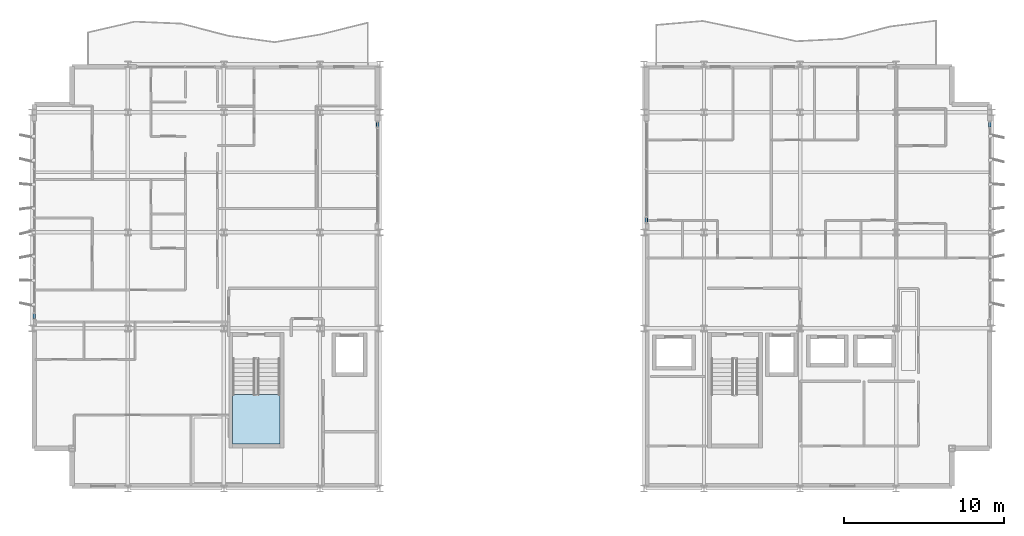
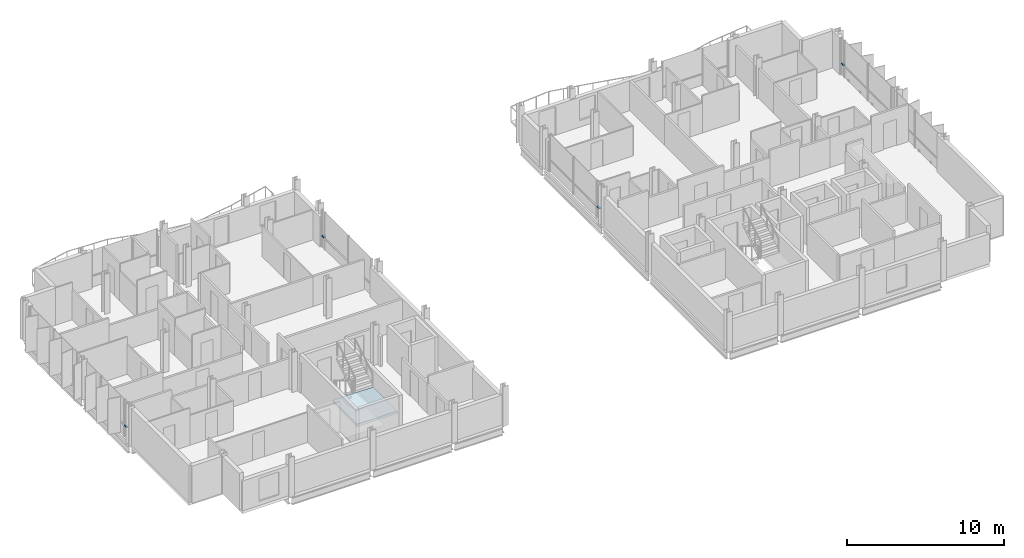
# One storey, part 14 of 29: 4 members, 1 slab, 5 elements without a shape of their own.
"""IFC4 building model written with IfcOpenShell, lengths in metres."""

from ifc_helpers import new_model, si_unit, direction, frame, origin, origin_2d, place, context, subcontext, project, spatial, polyline, hollow_rectangle, outline, extrude, material, layer, layer_set, material_profile, profile_set, type_object, element, aggregate, save


model = new_model("IFC4")

# Units and contexts
model_context = context("Model", 3, precision=1e-05, world=origin(), true_north=direction((0.0, 1.0)))
body_context = subcontext(model_context, "Body", "Model", "MODEL_VIEW")
ifc_project = project(units=[si_unit("LENGTHUNIT", "METRE"), si_unit("AREAUNIT", "SQUARE_METRE"), si_unit("VOLUMEUNIT", "CUBIC_METRE"), si_unit("PLANEANGLEUNIT", "RADIAN"), si_unit("MASSUNIT", "GRAM", prefix="KILO")], contexts=[model_context])

# Site, building, storey
site_placement = place(None, origin())
site = spatial("IfcSite", under=ifc_project, at=site_placement, CompositionType="ELEMENT")
building_placement = place(site_placement, origin())
building = spatial("IfcBuilding", under=site, at=building_placement, Name="Brevholm Reach", CompositionType="ELEMENT")
storey_placement = place(building_placement, frame((0.0, 0.0, 198.699951171875)))
storey = spatial("IfcBuildingStorey", under=building, at=storey_placement, Name="L60", CompositionType="ELEMENT", Elevation=198.699951171875)

# Curtain wall, member
ifc_material_1 = material(Name="Dark Anodised Aluminium 6063-T6 and Solar-Control Glass", Category="aluminium")
ifc_layer_1 = layer(ifc_material_1, 0.14990234375)
ifc_layer_set_1 = layer_set([ifc_layer_1], Name="Dark Anodised Aluminium 6063-T6 and Solar-Control Glass")
curtain_wall_type_1 = type_object("IfcCurtainWallType", Name="CW-01", PredefinedType="NOTDEFINED", material=ifc_layer_set_1)
curtain_wall_1_placement = place(storey_placement, origin())
curtain_wall_1 = element("IfcCurtainWall", 1, at=curtain_wall_1_placement, inside=storey, type_object=curtain_wall_type_1, Name="L60 Curtain Wall CW-01", PredefinedType="NOTDEFINED")
ifc_material_2 = material(Name="Dark Anodised Aluminium 6063-T6", Category="aluminium")
ifc_material_profile_1 = material_profile(ifc_material_2, hollow_rectangle(XDim=0.06494140625, YDim=0.14990234375, WallThickness=0.0048828125, InnerFilletRadius=0.0048828125, OuterFilletRadius=0.010009765625, at=origin_2d()), Name="RHS 150x65x5")
ifc_profile_set_1 = profile_set([ifc_material_profile_1], Name="Dark Anodised Aluminium 6063-T6")
member_type_1 = type_object("IfcMemberType", Name="CWT-150", PredefinedType="NOTDEFINED", material=ifc_profile_set_1)
member_1_placement = place(storey_placement, frame((0.14990234375, 10.91748046875, 0.900146484375), z_axis=(0.0, -1.0, 0.0), x_axis=(0.0, 0.0, 1.0)))
member_1 = element("IfcMember", 2, at=member_1_placement, type_object=member_type_1, Name="CT-150 Transom 5.1", ObjectType="TRANSOM", PredefinedType="USERDEFINED", context=body_context, shape_type="SweptSolid", body=[
    extrude(hollow_rectangle(XDim=0.06494140625, YDim=0.14990234375, WallThickness=0.0048828125, InnerFilletRadius=0.0048828125, OuterFilletRadius=0.010009765625, at=origin_2d()), origin(), (0.0, 0.0, 1.0), 0.302490234375),
])
aggregate(curtain_wall_1, [member_1])

curtain_wall_2_placement = place(storey_placement, origin())
curtain_wall_2 = element("IfcCurtainWall", 3, at=curtain_wall_2_placement, inside=storey, type_object=curtain_wall_type_1, Name="L60 Curtain Wall CW-01", PredefinedType="NOTDEFINED")
member_2_placement = place(storey_placement, frame((59.85009765625, 22.58251953125, 0.900146484375), z_axis=(0.0, 1.0, 0.0), x_axis=(0.0, 0.0, 1.0)))
member_2 = element("IfcMember", 4, at=member_2_placement, type_object=member_type_1, Name="CT-150 Transom 5.1", ObjectType="TRANSOM", PredefinedType="USERDEFINED", context=body_context, shape_type="SweptSolid", body=[
    extrude(hollow_rectangle(XDim=0.06494140625, YDim=0.14990234375, WallThickness=0.0048828125, InnerFilletRadius=0.0048828125, OuterFilletRadius=0.010009765625, at=origin_2d()), origin(), (0.0, 0.0, 1.0), 0.302490234375),
])
aggregate(curtain_wall_2, [member_2])

ifc_material_3 = material(Name="Dark Anodised Aluminium 6063-T6 and Solar-Control Glass", Category="aluminium")
ifc_layer_2 = layer(ifc_material_3, 0.1650390625)
ifc_layer_set_2 = layer_set([ifc_layer_2], Name="Dark Anodised Aluminium 6063-T6 and Solar-Control Glass")
curtain_wall_type_2 = type_object("IfcCurtainWallType", Name="CW-04", PredefinedType="NOTDEFINED", material=ifc_layer_set_2)
curtain_wall_3_placement = place(storey_placement, origin())
curtain_wall_3 = element("IfcCurtainWall", 5, at=curtain_wall_3_placement, inside=storey, type_object=curtain_wall_type_2, Name="L60 Curtain Wall CW-04", PredefinedType="NOTDEFINED")
ifc_material_4 = material(Name="Dark Anodised Aluminium 6063-T6", Category="aluminium")
ifc_material_profile_2 = material_profile(ifc_material_4, hollow_rectangle(XDim=0.070068359375, YDim=0.1650390625, WallThickness=0.0048828125, InnerFilletRadius=0.0048828125, OuterFilletRadius=0.010009765625, at=origin_2d()), Name="RHS 165x70x5")
ifc_profile_set_2 = profile_set([ifc_material_profile_2], Name="Dark Anodised Aluminium 6063-T6")
member_type_2 = type_object("IfcMemberType", Name="CWT-165", PredefinedType="NOTDEFINED", material=ifc_profile_set_2)
member_3_placement = place(storey_placement, frame((21.60009765625, 22.5849609375, 0.900146484375), z_axis=(0.0, 1.0, 0.0), x_axis=(0.0, 0.0, 1.0)))
member_3 = element("IfcMember", 6, at=member_3_placement, type_object=member_type_2, Name="CT-165 Transom 3.1", ObjectType="TRANSOM", PredefinedType="USERDEFINED", context=body_context, shape_type="SweptSolid", body=[
    extrude(hollow_rectangle(XDim=0.070068359375, YDim=0.1650390625, WallThickness=0.0048828125, InnerFilletRadius=0.0048828125, OuterFilletRadius=0.010009765625, at=origin_2d()), origin(), (0.0, 0.0, 1.0), 0.294921875),
])
aggregate(curtain_wall_3, [member_3])

curtain_wall_4_placement = place(storey_placement, origin())
curtain_wall_4 = element("IfcCurtainWall", 7, at=curtain_wall_4_placement, inside=storey, type_object=curtain_wall_type_2, Name="L60 Curtain Wall CW-04", PredefinedType="NOTDEFINED")
member_4_placement = place(storey_placement, frame((38.39990234375, 16.9150390625, 0.900146484375), z_axis=(0.0, -1.0, 0.0), x_axis=(0.0, 0.0, 1.0)))
member_4 = element("IfcMember", 8, at=member_4_placement, type_object=member_type_2, Name="CT-165 Transom 3.1", ObjectType="TRANSOM", PredefinedType="USERDEFINED", context=body_context, shape_type="SweptSolid", body=[
    extrude(hollow_rectangle(XDim=0.070068359375, YDim=0.1650390625, WallThickness=0.0048828125, InnerFilletRadius=0.0048828125, OuterFilletRadius=0.010009765625, at=origin_2d()), origin(), (0.0, 0.0, 1.0), 0.294921875),
])
aggregate(curtain_wall_4, [member_4])

# Stair, slab
ifc_material_5 = material(Name="Precast Concrete C40/50", Category="concrete")
stair_type = type_object("IfcStairType", Name="STR-ESC-1400", PredefinedType="DOUBLE_RETURN_STAIR", material=ifc_material_5)
stair_placement = place(storey_placement, origin())
stair = element("IfcStair", 9, at=stair_placement, inside=storey, type_object=stair_type, Name="L60 ST-1", PredefinedType="DOUBLE_RETURN_STAIR")
ifc_material_6 = material(Name="Concrete C40/50", Category="concrete")
ifc_layer_3 = layer(ifc_material_6, 0.199951171875)
ifc_layer_set_3 = layer_set([ifc_layer_3], Name="Concrete C40/50")
slab_type = type_object("IfcSlabType", Name="SLB-LND-200", PredefinedType="LANDING", material=ifc_layer_set_3)
slab_placement = place(storey_placement, frame((0.0, 0.0, 1.35009765625)))
slab = element("IfcSlab", 10, at=slab_placement, type_object=slab_type, Name="ST-1 landing 1", PredefinedType="LANDING", context=body_context, shape_type="SweptSolid", body=[
    extrude(outline(polyline([(12.550048828125, 5.860107421875), (12.550048828125, 2.780029296875), (15.5, 2.780029296875), (15.5, 5.860107421875), (12.550048828125, 5.860107421875)])), origin(), (0.0, 0.0, 1.0), 0.199951171875),
])
aggregate(stair, [slab])

save(model, "model.ifc")
